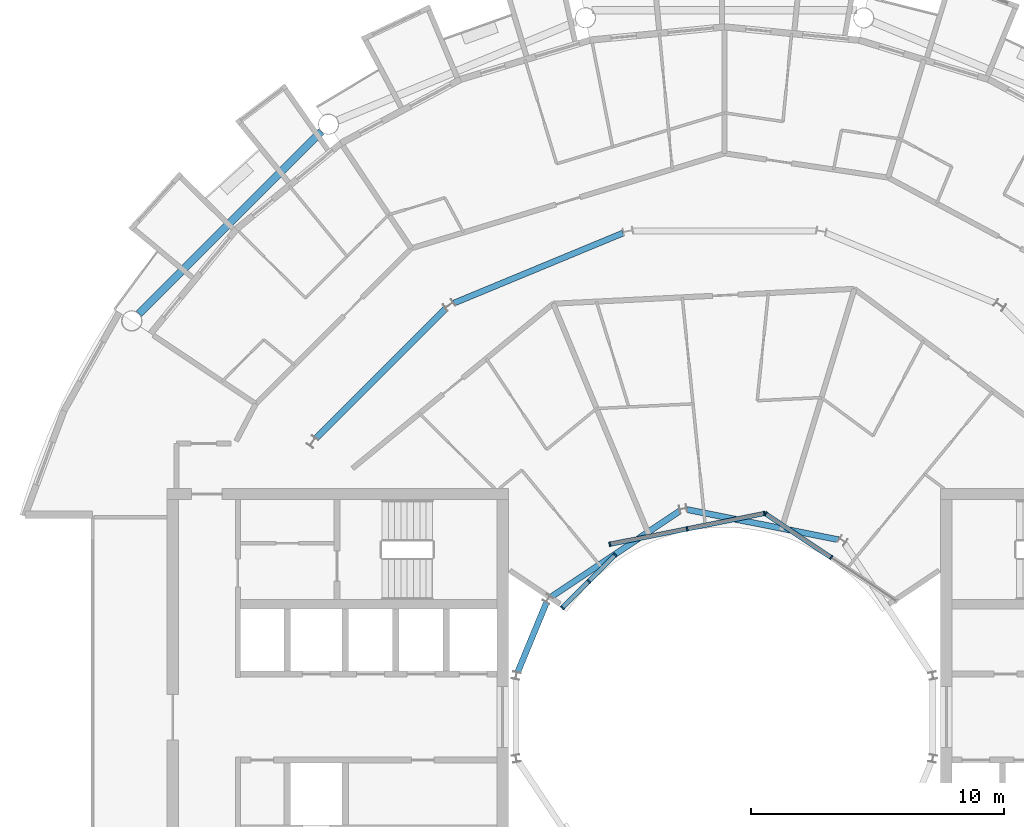
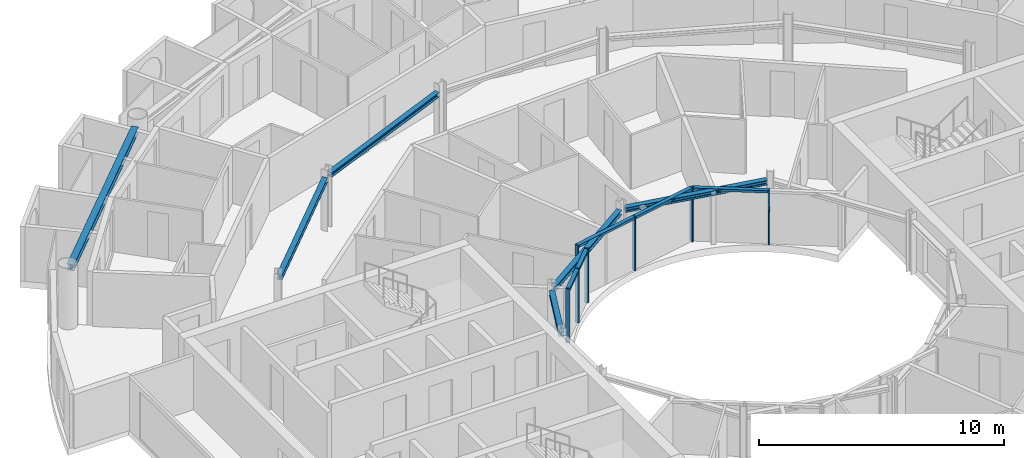
# One storey, part 9 of 29: 13 members, 6 beams, 3 elements without a shape of their own.
"""IFC4 building model written with IfcOpenShell, lengths in metres."""

from ifc_helpers import new_model, si_unit, direction, frame, origin, origin_2d, place, context, subcontext, project, spatial, rectangle, i_section, extrude, material, layer, layer_set, material_profile, profile_set, type_object, element, aggregate, save


model = new_model("IFC4")

# Units and contexts
model_context = context("Model", 3, precision=1e-05, world=origin(), true_north=direction((0.0, 1.0)))
body_context = subcontext(model_context, "Body", "Model", "MODEL_VIEW")
ifc_project = project(units=[si_unit("LENGTHUNIT", "METRE"), si_unit("AREAUNIT", "SQUARE_METRE"), si_unit("VOLUMEUNIT", "CUBIC_METRE"), si_unit("PLANEANGLEUNIT", "RADIAN"), si_unit("MASSUNIT", "GRAM", prefix="KILO")], contexts=[model_context])

# Site, building, storey
site_placement = place(None, origin())
site = spatial("IfcSite", under=ifc_project, at=site_placement, CompositionType="ELEMENT")
building_placement = place(site_placement, origin())
building = spatial("IfcBuilding", under=site, at=building_placement, Name="Maasbend Ring Residences", CompositionType="ELEMENT")
storey_placement = place(building_placement, frame((0.0, 0.0, 202.39990234375)))
storey = spatial("IfcBuildingStorey", under=building, at=storey_placement, Name="L58", CompositionType="ELEMENT", Elevation=202.39990234375)

# Curtain wall, members
ifc_material_1 = material(Name="Aluminium and clear glass", Category="aluminium")
ifc_layer = layer(ifc_material_1, 0.179931640625)
ifc_layer_set = layer_set([ifc_layer], Name="CW-W")
curtain_wall_type = type_object("IfcCurtainWallType", Name="CW-W", PredefinedType="NOTDEFINED", material=ifc_layer_set)
curtain_wall_1_placement = place(storey_placement, origin())
curtain_wall_1 = element("IfcCurtainWall", 1, at=curtain_wall_1_placement, inside=storey, type_object=curtain_wall_type, Name="Well curtain wall N1", PredefinedType="NOTDEFINED")
ifc_material_2 = material(Name="Aluminium 6063-T6", Category="aluminium")
ifc_material_profile_1 = material_profile(ifc_material_2, rectangle(XDim=0.179931640625, YDim=0.06005859375, at=origin_2d()), Name="AL 180x60")
ifc_profile_set_1 = profile_set([ifc_material_profile_1], Name="Aluminium 6063-T6")
member_type_1 = type_object("IfcMemberType", Name="CWM-W", PredefinedType="MULLION", material=ifc_profile_set_1)
member_1_placement = place(storey_placement, frame((4.216796875, 6.310791015625, 0.0), z_axis=(0.0, 0.0, 1.0), x_axis=(-0.55557023302, -0.831469612303, 0.0)))
member_1 = element("IfcMember", 2, at=member_1_placement, type_object=member_type_1, Name="Mullion well face", PredefinedType="MULLION", context=body_context, shape_type="SweptSolid", body=[
    extrude(rectangle(XDim=0.179931640625, YDim=0.06005859375, at=origin_2d()), origin(), (0.0, 0.0, 1.0), 2.7001953125),
])
member_2_placement = place(storey_placement, frame((1.627685546875, 8.040771484375, 0.0), z_axis=(0.0, 0.0, 1.0), x_axis=(-0.55557023302, -0.831469612303, 0.0)))
member_2 = element("IfcMember", 3, at=member_2_placement, type_object=member_type_1, Name="Mullion well face", PredefinedType="MULLION", context=body_context, shape_type="SweptSolid", body=[
    extrude(rectangle(XDim=0.179931640625, YDim=0.06005859375, at=origin_2d()), origin(), (0.0, 0.0, 1.0), 2.7001953125),
])

curtain_wall_2_placement = place(storey_placement, origin())
curtain_wall_2 = element("IfcCurtainWall", 4, at=curtain_wall_2_placement, inside=storey, type_object=curtain_wall_type, Name="Well curtain wall N2", PredefinedType="NOTDEFINED")
member_3_placement = place(storey_placement, frame((1.5732421875, 8.0517578125, 0.0), z_axis=(0.0, 0.0, 1.0), x_axis=(0.195090322016, -0.980785280403, 0.0)))
member_3 = element("IfcMember", 5, at=member_3_placement, type_object=member_type_1, Name="Mullion well face", PredefinedType="MULLION", context=body_context, shape_type="SweptSolid", body=[
    extrude(rectangle(XDim=0.179931640625, YDim=0.06005859375, at=origin_2d()), origin(), (0.0, 0.0, 1.0), 2.7001953125),
])
member_4_placement = place(storey_placement, frame((-1.480712890625, 7.444091796875, 0.0), z_axis=(0.0, 0.0, 1.0), x_axis=(0.195090322016, -0.980785280403, 0.0)))
member_4 = element("IfcMember", 6, at=member_4_placement, type_object=member_type_1, Name="Mullion well face", PredefinedType="MULLION", context=body_context, shape_type="SweptSolid", body=[
    extrude(rectangle(XDim=0.179931640625, YDim=0.06005859375, at=origin_2d()), origin(), (0.0, 0.0, 1.0), 2.7001953125),
])
member_5_placement = place(storey_placement, frame((-4.53466796875, 6.836669921875, 0.0), z_axis=(0.0, 0.0, 1.0), x_axis=(0.195090322016, -0.980785280403, 0.0)))
member_5 = element("IfcMember", 7, at=member_5_placement, type_object=member_type_1, Name="Mullion well face", PredefinedType="MULLION", context=body_context, shape_type="SweptSolid", body=[
    extrude(rectangle(XDim=0.179931640625, YDim=0.06005859375, at=origin_2d()), origin(), (0.0, 0.0, 1.0), 2.7001953125),
])

curtain_wall_3_placement = place(storey_placement, origin())
curtain_wall_3 = element("IfcCurtainWall", 8, at=curtain_wall_3_placement, inside=storey, type_object=curtain_wall_type, Name="Well curtain wall N3", PredefinedType="NOTDEFINED")
member_6_placement = place(storey_placement, frame((-4.320556640625, 6.413330078125, 0.0), z_axis=(0.0, 0.0, 1.0), x_axis=(0.707106781187, -0.707106781187, 0.0)))
member_6 = element("IfcMember", 9, at=member_6_placement, type_object=member_type_1, Name="Mullion well face", PredefinedType="MULLION", context=body_context, shape_type="SweptSolid", body=[
    extrude(rectangle(XDim=0.179931640625, YDim=0.06005859375, at=origin_2d()), origin(), (0.0, 0.0, 1.0), 2.7001953125),
])
member_7_placement = place(storey_placement, frame((-5.366943359375, 5.366943359375, 0.0), z_axis=(0.0, 0.0, 1.0), x_axis=(0.707106781187, -0.707106781187, 0.0)))
member_7 = element("IfcMember", 10, at=member_7_placement, type_object=member_type_1, Name="Mullion well face", PredefinedType="MULLION", context=body_context, shape_type="SweptSolid", body=[
    extrude(rectangle(XDim=0.179931640625, YDim=0.06005859375, at=origin_2d()), origin(), (0.0, 0.0, 1.0), 2.7001953125),
])
member_8_placement = place(storey_placement, frame((-6.413330078125, 4.320556640625, 0.0), z_axis=(0.0, 0.0, 1.0), x_axis=(0.707106781187, -0.707106781187, 0.0)))
member_8 = element("IfcMember", 11, at=member_8_placement, type_object=member_type_1, Name="Mullion well face", PredefinedType="MULLION", context=body_context, shape_type="SweptSolid", body=[
    extrude(rectangle(XDim=0.179931640625, YDim=0.06005859375, at=origin_2d()), origin(), (0.0, 0.0, 1.0), 2.7001953125),
])

# Member
ifc_material_3 = material(Name="Aluminium 6063-T6", Category="aluminium")
ifc_material_profile_2 = material_profile(ifc_material_3, rectangle(XDim=0.179931640625, YDim=0.1201171875, at=origin_2d()), Name="AL 180x120")
ifc_profile_set_2 = profile_set([ifc_material_profile_2], Name="Aluminium 6063-T6")
member_type_2 = type_object("IfcMemberType", Name="CWT-W", PredefinedType="USERDEFINED", material=ifc_profile_set_2)
member_9_placement = place(storey_placement, frame((4.19189453125, 6.32763671875, 2.64013671875), z_axis=(-0.831496422459, 0.555530106689, 0.0), x_axis=(-0.555530106689, -0.831496422459, 0.0)))
member_9 = element("IfcMember", 12, at=member_9_placement, type_object=member_type_2, Name="Transom well face", ObjectType="TRANSOM", PredefinedType="USERDEFINED", context=body_context, shape_type="SweptSolid", body=[
    extrude(rectangle(XDim=0.179931640625, YDim=0.1201171875, at=origin_2d()), origin(), (0.0, 0.0, 1.0), 3.053955078125),
])

aggregate(curtain_wall_1, [member_1, member_2, member_9])

member_10_placement = place(storey_placement, frame((1.5439453125, 8.0458984375, 2.64013671875), z_axis=(-0.980776956105, -0.195132166424, 0.0), x_axis=(0.195132166424, -0.980776956105, 0.0)))
member_10 = element("IfcMember", 13, at=member_10_placement, type_object=member_type_2, Name="Transom well face", ObjectType="TRANSOM", PredefinedType="USERDEFINED", context=body_context, shape_type="SweptSolid", body=[
    extrude(rectangle(XDim=0.179931640625, YDim=0.1201171875, at=origin_2d()), origin(), (0.0, 0.0, 1.0), 3.053955078125),
])

member_11_placement = place(storey_placement, frame((-1.51025390625, 7.438232421875, 2.64013671875), z_axis=(-0.980789210404, -0.19507056353, 0.0), x_axis=(0.19507056353, -0.980789210404, 0.0)))
member_11 = element("IfcMember", 14, at=member_11_placement, type_object=member_type_2, Name="Transom well face", ObjectType="TRANSOM", PredefinedType="USERDEFINED", context=body_context, shape_type="SweptSolid", body=[
    extrude(rectangle(XDim=0.179931640625, YDim=0.1201171875, at=origin_2d()), origin(), (0.0, 0.0, 1.0), 3.0537109375),
])

aggregate(curtain_wall_2, [member_3, member_4, member_5, member_10, member_11])

member_12_placement = place(storey_placement, frame((-4.341796875, 6.39208984375, 2.64013671875), z_axis=(-0.707106781187, -0.707106781187, 0.0), x_axis=(0.707106781187, -0.707106781187, 0.0)))
member_12 = element("IfcMember", 15, at=member_12_placement, type_object=member_type_2, Name="Transom well face", ObjectType="TRANSOM", PredefinedType="USERDEFINED", context=body_context, shape_type="SweptSolid", body=[
    extrude(rectangle(XDim=0.179931640625, YDim=0.1201171875, at=origin_2d()), origin(), (0.0, 0.0, 1.0), 1.419677734375),
])

member_13_placement = place(storey_placement, frame((-5.38818359375, 5.345703125, 2.64013671875), z_axis=(-0.707106781187, -0.707106781187, 0.0), x_axis=(0.707106781187, -0.707106781187, 0.0)))
member_13 = element("IfcMember", 16, at=member_13_placement, type_object=member_type_2, Name="Transom well face", ObjectType="TRANSOM", PredefinedType="USERDEFINED", context=body_context, shape_type="SweptSolid", body=[
    extrude(rectangle(XDim=0.179931640625, YDim=0.1201171875, at=origin_2d()), origin(), (0.0, 0.0, 1.0), 1.419677734375),
])

aggregate(curtain_wall_3, [member_6, member_7, member_8, member_12, member_13])

# Beams
ifc_material_4 = material(Name="Steel S355J2", Category="steel")
ifc_material_profile_3 = material_profile(ifc_material_4, i_section(OverallWidth=0.239990234375, OverallDepth=0.22998046875, WebThickness=0.007568359375, FlangeThickness=0.011962890625, FilletRadius=0.02099609375, at=origin_2d()), Name="HEA 240")
ifc_profile_set_3 = profile_set([ifc_material_profile_3], Name="Steel S355J2")
beam_type_1 = type_object("IfcBeamType", Name="Corridor ring beam HEA 240", PredefinedType="BEAM", material=ifc_profile_set_3)
beam_1_placement = place(storey_placement, frame((-4.01220703125, 19.1455078125, 2.585205078125), z_axis=(-0.923865162022, -0.382718123952, 0.0), x_axis=(0.382718123952, -0.923865162022, 0.0)))
element("IfcBeam", 17, at=beam_1_placement, inside=storey, type_object=beam_type_1, Name="Corridor ring beam", PredefinedType="BEAM", context=body_context, shape_type="SweptSolid", body=[
    extrude(i_section(OverallWidth=0.239990234375, OverallDepth=0.22998046875, WebThickness=0.007568359375, FlangeThickness=0.011962890625, FilletRadius=0.02099609375, at=origin_2d()), origin(), (0.0, 0.0, 1.0), 7.23974609375),
])
beam_2_placement = place(storey_placement, frame((-11.033447265625, 16.152587890625, 2.585205078125), z_axis=(-0.707106781187, -0.707106781187, 0.0), x_axis=(0.707106781187, -0.707106781187, 0.0)))
element("IfcBeam", 18, at=beam_2_placement, inside=storey, type_object=beam_type_1, Name="Corridor ring beam", PredefinedType="BEAM", context=body_context, shape_type="SweptSolid", body=[
    extrude(i_section(OverallWidth=0.239990234375, OverallDepth=0.22998046875, WebThickness=0.007568359375, FlangeThickness=0.011962890625, FilletRadius=0.02099609375, at=origin_2d()), origin(), (0.0, 0.0, 1.0), 7.239501953125),
])
ifc_material_5 = material(Name="Steel S355J2", Category="steel")
ifc_material_profile_4 = material_profile(ifc_material_5, i_section(OverallWidth=0.300048828125, OverallDepth=0.300048828125, WebThickness=0.010986328125, FlangeThickness=0.01904296875, FilletRadius=0.027099609375, at=origin_2d()), Name="HEB 300")
ifc_profile_set_4 = profile_set([ifc_material_profile_4], Name="Steel S355J2")
beam_type_2 = type_object("IfcBeamType", Name="Spandrel ring beam HEB 300", PredefinedType="SPANDREL", material=ifc_profile_set_4)
beam_3_placement = place(storey_placement, frame((-15.95458984375, 23.159912109375, 2.550048828125), z_axis=(-0.707106781187, -0.707106781187, 0.0), x_axis=(0.707106781187, -0.707106781187, 0.0)))
element("IfcBeam", 19, at=beam_3_placement, inside=storey, type_object=beam_type_2, Name="Spandrel ring beam", PredefinedType="SPANDREL", context=body_context, shape_type="SweptSolid", body=[
    extrude(i_section(OverallWidth=0.300048828125, OverallDepth=0.300048828125, WebThickness=0.010986328125, FlangeThickness=0.01904296875, FilletRadius=0.027099609375, at=origin_2d()), origin(), (0.0, 0.0, 1.0), 10.18994140625),
])
ifc_material_6 = material(Name="Steel S355J2", Category="steel")
ifc_material_profile_5 = material_profile(ifc_material_6, i_section(OverallWidth=0.239990234375, OverallDepth=0.22998046875, WebThickness=0.007568359375, FlangeThickness=0.011962890625, FilletRadius=0.02099609375, at=origin_2d()), Name="HEA 240")
ifc_profile_set_5 = profile_set([ifc_material_profile_5], Name="Steel S355J2")
beam_type_3 = type_object("IfcBeamType", Name="Well edge beam HEA 240", PredefinedType="BEAM", material=ifc_profile_set_5)
for number, where, z_axis, x_axis, name in (
    (20, (4.512939453125, 7.014892578125, 2.585205078125), (-0.980782836869, 0.195102606089, 0.0), (-0.195102606089, -0.980782836869, 0.0), "Well edge beam"),
    (21, (-1.769287109375, 8.1513671875, 2.585205078125), (-0.831460175376, -0.555584356119, 0.0), (0.555584356119, -0.831460175376, 0.0), "Well edge beam"),
):
    element("IfcBeam", number, at=place(storey_placement, frame(where, z_axis=z_axis, x_axis=x_axis)), inside=storey, type_object=beam_type_3, Name=name, PredefinedType="BEAM", context=body_context, shape_type="SweptSolid", body=[
        extrude(i_section(OverallWidth=0.239990234375, OverallDepth=0.22998046875, WebThickness=0.007568359375, FlangeThickness=0.011962890625, FilletRadius=0.02099609375, at=origin_2d()), origin(), (0.0, 0.0, 1.0), 6.115234375),
    ])
beam_4_placement = place(storey_placement, frame((-7.041015625, 4.5302734375, 2.585205078125), z_axis=(-0.382614534057, -0.923908068115, 0.0), x_axis=(0.923908068115, -0.382614534057, 0.0)))
element("IfcBeam", 22, at=beam_4_placement, inside=storey, type_object=beam_type_3, Name="Well edge beam", PredefinedType="BEAM", context=body_context, shape_type="SweptSolid", body=[
    extrude(i_section(OverallWidth=0.239990234375, OverallDepth=0.22998046875, WebThickness=0.007568359375, FlangeThickness=0.011962890625, FilletRadius=0.02099609375, at=origin_2d()), origin(), (0.0, 0.0, 1.0), 2.981689453125),
])

save(model, "model.ifc")
